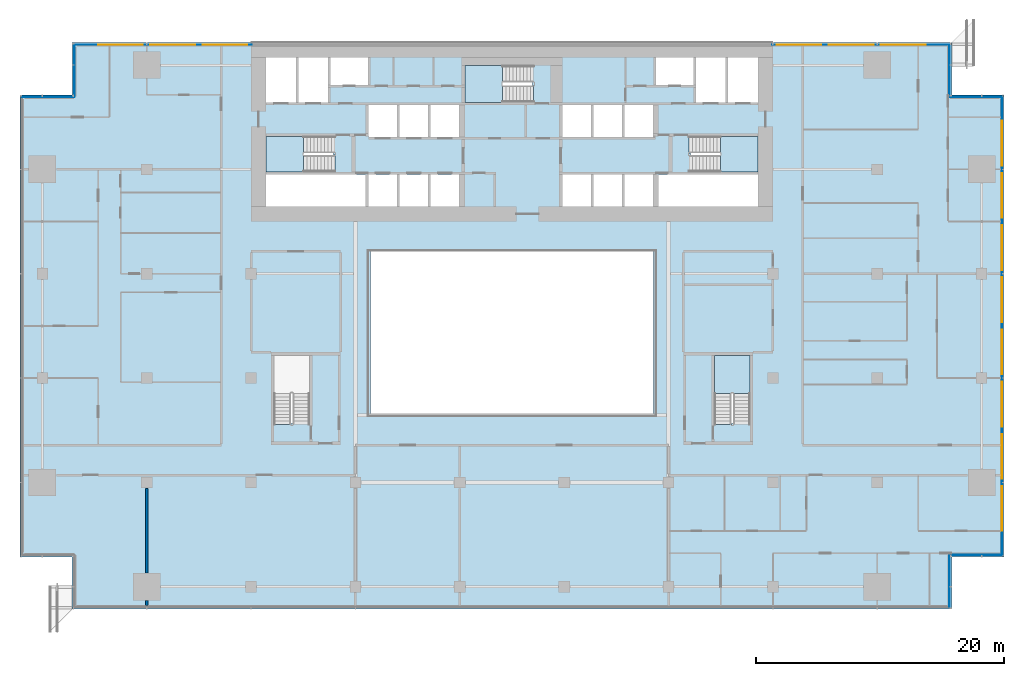
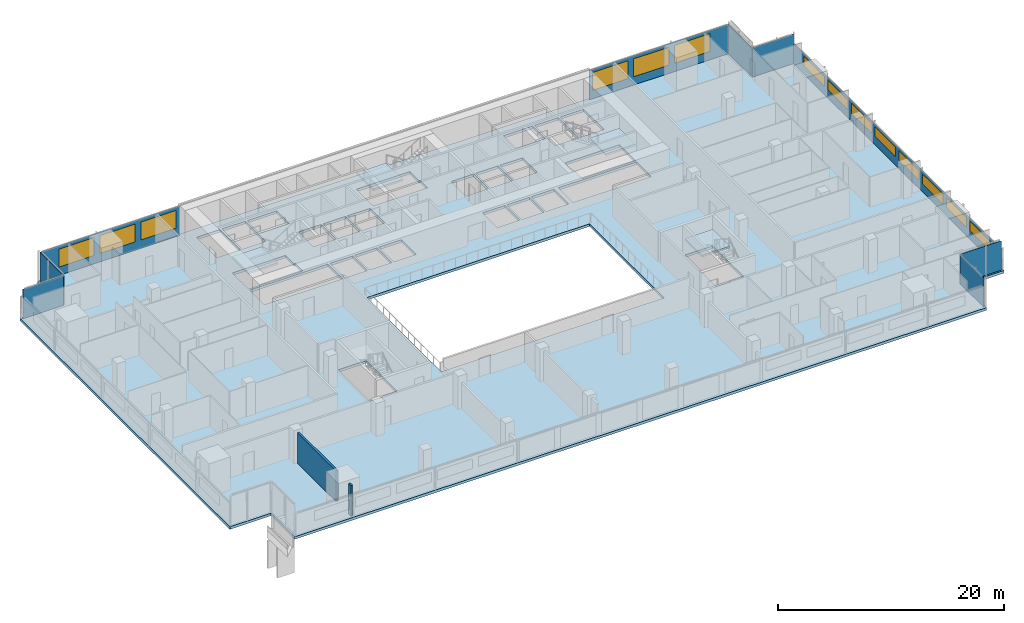
# One storey, part 16 of 25: 14 windows, 9 plates, 5 slabs, 2 walls, 14 openings, 12 elements without a shape of their own.
"""IFC4 building model written with IfcOpenShell, lengths in metres."""

from ifc_helpers import new_model, si_unit, direction, frame, frame_2d, origin, place, context, subcontext, project, spatial, polyline, rectangle, outline, extrude, material, layer, layer_set, type_object, element, fill, aggregate, save


model = new_model("IFC4")

# Units and contexts
model_context = context("Model", 3, precision=1e-05, world=origin(), true_north=direction((0.0, 1.0)))
body_context = subcontext(model_context, "Body", "Model", "MODEL_VIEW")
ifc_project = project(units=[si_unit("LENGTHUNIT", "METRE"), si_unit("AREAUNIT", "SQUARE_METRE"), si_unit("VOLUMEUNIT", "CUBIC_METRE"), si_unit("PLANEANGLEUNIT", "RADIAN"), si_unit("MASSUNIT", "GRAM", prefix="KILO")], contexts=[model_context])

# Site, building, storey
site_placement = place(None, origin())
site = spatial("IfcSite", under=ifc_project, at=site_placement, CompositionType="ELEMENT")
building_placement = place(site_placement, origin())
building = spatial("IfcBuilding", under=site, at=building_placement, Name="Saffron Gate Tower", CompositionType="ELEMENT")
storey_placement = place(building_placement, frame((0.0, 0.0, 80.39990234375)))
storey = spatial("IfcBuildingStorey", under=building, at=storey_placement, Name="L19", CompositionType="ELEMENT", Elevation=80.39990234375)

# Curtain wall, plate, openings, windows
ifc_material_1 = material(Name="Aluminium, bronze anodised", Category="aluminium")
curtain_wall_type_1 = type_object("IfcCurtainWallType", Name="CWS2 curtain wall side facades", PredefinedType="NOTDEFINED", material=ifc_material_1)
curtain_wall_1_placement = place(storey_placement, origin())
curtain_wall_1 = element("IfcCurtainWall", 1, at=curtain_wall_1_placement, inside=storey, type_object=curtain_wall_type_1, Name="CWS2 run 4", PredefinedType="NOTDEFINED")
ifc_material_2 = material(Name="Fritted bronze-tinted laminated glass", Category="glass")
ifc_layer_1 = layer(ifc_material_2, 0.028076171875)
ifc_layer_set_1 = layer_set([ifc_layer_1], Name="CWS2 fixed glass")
plate_type_1 = type_object("IfcPlateType", Name="CWS2 fixed glass", PredefinedType="CURTAIN_PANEL", material=ifc_layer_set_1)
plate_1_placement = place(storey_placement, frame((127.02587890625, 34.387939453125, 0.0), z_axis=(0.0, 0.0, 1.0), x_axis=(0.0, 1.0, 0.0)))
plate_1 = element("IfcPlate", 2, at=plate_1_placement, type_object=plate_type_1, Name="CWS2 glass panel", PredefinedType="CURTAIN_PANEL", context=body_context, shape_type="SweptSolid", body=[
    extrude(rectangle(XDim=36.823974609375, YDim=0.028076171875, at=frame_2d((18.412109375, 0.0))), origin(), (0.0, 0.0, 1.0), 2.2900390625),
])
opening_1_placement = place(plate_1_placement, frame((1.912109375, 0.0, 0.89990234375)))
opening_1 = element("IfcOpeningElement", 3, at=opening_1_placement, cuts=plate_1, Name="Opening W11", PredefinedType="OPENING", context=body_context, shape_type="SweptSolid", body=[
    extrude(rectangle(XDim=3.60009765625, YDim=1.0400390625, at=frame_2d((1.800048828125, 0.52001953125))), frame((0.0, 0.02392578125, 0.0), z_axis=(0.0, -1.0, 0.0), x_axis=(1.0, 0.0, 0.0)), (0.0, 0.0, 1.0), 0.048095703125),
])
opening_2_placement = place(plate_1_placement, frame((6.112060546875, 0.0, 0.89990234375)))
opening_2 = element("IfcOpeningElement", 4, at=opening_2_placement, cuts=plate_1, Name="Opening W11", PredefinedType="OPENING", context=body_context, shape_type="SweptSolid", body=[
    extrude(rectangle(XDim=3.60009765625, YDim=1.0400390625, at=frame_2d((1.800048828125, 0.52001953125))), frame((0.0, 0.02392578125, 0.0), z_axis=(0.0, -1.0, 0.0), x_axis=(1.0, 0.0, 0.0)), (0.0, 0.0, 1.0), 0.048095703125),
])
opening_3_placement = place(plate_1_placement, frame((10.31201171875, 0.0, 0.89990234375)))
opening_3 = element("IfcOpeningElement", 5, at=opening_3_placement, cuts=plate_1, Name="Opening W11", PredefinedType="OPENING", context=body_context, shape_type="SweptSolid", body=[
    extrude(rectangle(XDim=3.60009765625, YDim=1.0400390625, at=frame_2d((1.800048828125, 0.52001953125))), frame((0.0, 0.02392578125, 0.0), z_axis=(0.0, -1.0, 0.0), x_axis=(1.0, 0.0, 0.0)), (0.0, 0.0, 1.0), 0.048095703125),
])
opening_4_placement = place(plate_1_placement, frame((14.511962890625, 0.0, 0.89990234375)))
opening_4 = element("IfcOpeningElement", 6, at=opening_4_placement, cuts=plate_1, Name="Opening W11", PredefinedType="OPENING", context=body_context, shape_type="SweptSolid", body=[
    extrude(rectangle(XDim=3.60009765625, YDim=1.0400390625, at=frame_2d((1.800048828125, 0.52001953125))), frame((0.0, 0.02392578125, 0.0), z_axis=(0.0, -1.0, 0.0), x_axis=(1.0, 0.0, 0.0)), (0.0, 0.0, 1.0), 0.048095703125),
])
opening_5_placement = place(plate_1_placement, frame((18.7119140625, 0.0, 0.89990234375)))
opening_5 = element("IfcOpeningElement", 7, at=opening_5_placement, cuts=plate_1, Name="Opening W11", PredefinedType="OPENING", context=body_context, shape_type="SweptSolid", body=[
    extrude(rectangle(XDim=3.60009765625, YDim=1.0400390625, at=frame_2d((1.800048828125, 0.52001953125))), frame((0.0, 0.02392578125, 0.0), z_axis=(0.0, -1.0, 0.0), x_axis=(1.0, 0.0, 0.0)), (0.0, 0.0, 1.0), 0.048095703125),
])
opening_6_placement = place(plate_1_placement, frame((22.912109375, 0.0, 0.89990234375)))
opening_6 = element("IfcOpeningElement", 8, at=opening_6_placement, cuts=plate_1, Name="Opening W11", PredefinedType="OPENING", context=body_context, shape_type="SweptSolid", body=[
    extrude(rectangle(XDim=3.60009765625, YDim=1.0400390625, at=frame_2d((1.800048828125, 0.52001953125))), frame((0.0, 0.02392578125, 0.0), z_axis=(0.0, -1.0, 0.0), x_axis=(1.0, 0.0, 0.0)), (0.0, 0.0, 1.0), 0.048095703125),
])
opening_7_placement = place(plate_1_placement, frame((27.112060546875, 0.0, 0.89990234375)))
opening_7 = element("IfcOpeningElement", 9, at=opening_7_placement, cuts=plate_1, Name="Opening W11", PredefinedType="OPENING", context=body_context, shape_type="SweptSolid", body=[
    extrude(rectangle(XDim=3.60009765625, YDim=1.0400390625, at=frame_2d((1.800048828125, 0.52001953125))), frame((0.0, 0.02392578125, 0.0), z_axis=(0.0, -1.0, 0.0), x_axis=(1.0, 0.0, 0.0)), (0.0, 0.0, 1.0), 0.048095703125),
])
opening_8_placement = place(plate_1_placement, frame((31.31201171875, 0.0, 0.89990234375)))
opening_8 = element("IfcOpeningElement", 10, at=opening_8_placement, cuts=plate_1, Name="Opening W11", PredefinedType="OPENING", context=body_context, shape_type="SweptSolid", body=[
    extrude(rectangle(XDim=3.60009765625, YDim=1.0400390625, at=frame_2d((1.800048828125, 0.52001953125))), frame((0.0, 0.02392578125, 0.0), z_axis=(0.0, -1.0, 0.0), x_axis=(1.0, 0.0, 0.0)), (0.0, 0.0, 1.0), 0.048095703125),
])
ifc_material_3 = material(Name="Fritted bronze-tinted laminated glass in bronze frame", Category="glass")
ifc_layer_2 = layer(ifc_material_3, 0.06005859375)
ifc_layer_set_2 = layer_set([ifc_layer_2], Name="W11 operable panel 3600x1040")
window_type_1 = type_object("IfcWindowType", Name="W11 operable panel 3600x1040", PartitioningType="DOUBLE_PANEL_HORIZONTAL", PredefinedType="WINDOW", material=ifc_layer_set_2)
window_1_placement = place(opening_1_placement, origin())
window_1 = element("IfcWindow", 11, at=window_1_placement, type_object=window_type_1, Name="W11 operable panel", OverallHeight=1.0400390625, OverallWidth=3.60009765625, PartitioningType="SINGLE_PANEL", PredefinedType="WINDOW", context=body_context, shape_type="SweptSolid", body=[
    extrude(rectangle(XDim=3.60009765625, YDim=1.0400390625, at=frame_2d((1.800048828125, 0.52001953125))), frame((0.0, 0.013671875, 0.0), z_axis=(0.0, -1.0, 0.0), x_axis=(1.0, 0.0, 0.0)), (0.0, 0.0, 1.0), 0.027587890625),
])
fill(opening_1, window_1)
window_2_placement = place(opening_2_placement, origin())
window_2 = element("IfcWindow", 12, at=window_2_placement, type_object=window_type_1, Name="W11 operable panel", OverallHeight=1.0400390625, OverallWidth=3.60009765625, PartitioningType="SINGLE_PANEL", PredefinedType="WINDOW", context=body_context, shape_type="SweptSolid", body=[
    extrude(rectangle(XDim=3.60009765625, YDim=1.0400390625, at=frame_2d((1.800048828125, 0.52001953125))), frame((0.0, 0.013671875, 0.0), z_axis=(0.0, -1.0, 0.0), x_axis=(1.0, 0.0, 0.0)), (0.0, 0.0, 1.0), 0.027587890625),
])
fill(opening_2, window_2)
window_3_placement = place(opening_3_placement, origin())
window_3 = element("IfcWindow", 13, at=window_3_placement, type_object=window_type_1, Name="W11 operable panel", OverallHeight=1.0400390625, OverallWidth=3.60009765625, PartitioningType="SINGLE_PANEL", PredefinedType="WINDOW", context=body_context, shape_type="SweptSolid", body=[
    extrude(rectangle(XDim=3.60009765625, YDim=1.0400390625, at=frame_2d((1.800048828125, 0.52001953125))), frame((0.0, 0.013671875, 0.0), z_axis=(0.0, -1.0, 0.0), x_axis=(1.0, 0.0, 0.0)), (0.0, 0.0, 1.0), 0.027587890625),
])
fill(opening_3, window_3)
window_4_placement = place(opening_4_placement, origin())
window_4 = element("IfcWindow", 14, at=window_4_placement, type_object=window_type_1, Name="W11 operable panel", OverallHeight=1.0400390625, OverallWidth=3.60009765625, PartitioningType="SINGLE_PANEL", PredefinedType="WINDOW", context=body_context, shape_type="SweptSolid", body=[
    extrude(rectangle(XDim=3.60009765625, YDim=1.0400390625, at=frame_2d((1.800048828125, 0.52001953125))), frame((0.0, 0.013671875, 0.0), z_axis=(0.0, -1.0, 0.0), x_axis=(1.0, 0.0, 0.0)), (0.0, 0.0, 1.0), 0.027587890625),
])
fill(opening_4, window_4)
window_5_placement = place(opening_5_placement, origin())
window_5 = element("IfcWindow", 15, at=window_5_placement, type_object=window_type_1, Name="W11 operable panel", OverallHeight=1.0400390625, OverallWidth=3.60009765625, PartitioningType="SINGLE_PANEL", PredefinedType="WINDOW", context=body_context, shape_type="SweptSolid", body=[
    extrude(rectangle(XDim=3.60009765625, YDim=1.0400390625, at=frame_2d((1.800048828125, 0.52001953125))), frame((0.0, 0.013671875, 0.0), z_axis=(0.0, -1.0, 0.0), x_axis=(1.0, 0.0, 0.0)), (0.0, 0.0, 1.0), 0.027587890625),
])
fill(opening_5, window_5)
window_6_placement = place(opening_6_placement, origin())
window_6 = element("IfcWindow", 16, at=window_6_placement, type_object=window_type_1, Name="W11 operable panel", OverallHeight=1.0400390625, OverallWidth=3.60009765625, PartitioningType="SINGLE_PANEL", PredefinedType="WINDOW", context=body_context, shape_type="SweptSolid", body=[
    extrude(rectangle(XDim=3.60009765625, YDim=1.0400390625, at=frame_2d((1.800048828125, 0.52001953125))), frame((0.0, 0.013671875, 0.0), z_axis=(0.0, -1.0, 0.0), x_axis=(1.0, 0.0, 0.0)), (0.0, 0.0, 1.0), 0.027587890625),
])
fill(opening_6, window_6)
window_7_placement = place(opening_7_placement, origin())
window_7 = element("IfcWindow", 17, at=window_7_placement, type_object=window_type_1, Name="W11 operable panel", OverallHeight=1.0400390625, OverallWidth=3.60009765625, PartitioningType="SINGLE_PANEL", PredefinedType="WINDOW", context=body_context, shape_type="SweptSolid", body=[
    extrude(rectangle(XDim=3.60009765625, YDim=1.0400390625, at=frame_2d((1.800048828125, 0.52001953125))), frame((0.0, 0.013671875, 0.0), z_axis=(0.0, -1.0, 0.0), x_axis=(1.0, 0.0, 0.0)), (0.0, 0.0, 1.0), 0.027587890625),
])
fill(opening_7, window_7)
window_8_placement = place(opening_8_placement, origin())
window_8 = element("IfcWindow", 18, at=window_8_placement, type_object=window_type_1, Name="W11 operable panel", OverallHeight=1.0400390625, OverallWidth=3.60009765625, PartitioningType="SINGLE_PANEL", PredefinedType="WINDOW", context=body_context, shape_type="SweptSolid", body=[
    extrude(rectangle(XDim=3.60009765625, YDim=1.0400390625, at=frame_2d((1.800048828125, 0.52001953125))), frame((0.0, 0.013671875, 0.0), z_axis=(0.0, -1.0, 0.0), x_axis=(1.0, 0.0, 0.0)), (0.0, 0.0, 1.0), 0.027587890625),
])
fill(opening_8, window_8)
aggregate(curtain_wall_1, [plate_1, window_1, window_2, window_3, window_4, window_5, window_6, window_7, window_8])

# Curtain wall, plates, openings, windows
curtain_wall_type_2 = type_object("IfcCurtainWallType", Name="CWS3 curtain wall rear facade", PredefinedType="NOTDEFINED", material=ifc_material_1)
curtain_wall_2_placement = place(storey_placement, origin())
curtain_wall_2 = element("IfcCurtainWall", 19, at=curtain_wall_2_placement, inside=storey, type_object=curtain_wall_type_2, Name="CWS3 run 7", PredefinedType="NOTDEFINED")
ifc_material_4 = material(Name="Fritted grey-tinted laminated glass", Category="glass")
ifc_layer_3 = layer(ifc_material_4, 0.028076171875)
ifc_layer_set_3 = layer_set([ifc_layer_3], Name="CWS3 fixed glass")
plate_type_2 = type_object("IfcPlateType", Name="CWS3 fixed glass", PredefinedType="CURTAIN_PANEL", material=ifc_layer_set_3)
plate_2_placement = place(storey_placement, frame((122.81201171875, 75.426025390625, 0.0), z_axis=(0.0, 0.0, 1.0), x_axis=(-1.0, 0.0, 0.0)))
plate_2 = element("IfcPlate", 20, at=plate_2_placement, type_object=plate_type_2, Name="CWS3 glass panel", PredefinedType="CURTAIN_PANEL", context=body_context, shape_type="SweptSolid", body=[
    extrude(rectangle(XDim=14.2470703125, YDim=0.028076171875, at=frame_2d((7.12353515625, 0.0))), origin(), (0.0, 0.0, 1.0), 3.18017578125),
])
opening_9_placement = place(plate_2_placement, frame((1.912109375, 0.0, 0.89990234375)))
opening_9 = element("IfcOpeningElement", 21, at=opening_9_placement, cuts=plate_2, Name="Opening W2", PredefinedType="OPENING", context=body_context, shape_type="SweptSolid", body=[
    extrude(rectangle(XDim=3.60009765625, YDim=1.929931640625, at=frame_2d((1.800048828125, 0.96484375))), frame((0.0, 0.02392578125, 0.0), z_axis=(0.0, -1.0, 0.0), x_axis=(1.0, 0.0, 0.0)), (0.0, 0.0, 1.0), 0.048095703125),
])
opening_10_placement = place(plate_2_placement, frame((6.112060546875, 0.0, 0.89990234375)))
opening_10 = element("IfcOpeningElement", 22, at=opening_10_placement, cuts=plate_2, Name="Opening W2", PredefinedType="OPENING", context=body_context, shape_type="SweptSolid", body=[
    extrude(rectangle(XDim=3.60009765625, YDim=1.929931640625, at=frame_2d((1.800048828125, 0.96484375))), frame((0.0, 0.02392578125, 0.0), z_axis=(0.0, -1.0, 0.0), x_axis=(1.0, 0.0, 0.0)), (0.0, 0.0, 1.0), 0.048095703125),
])
opening_11_placement = place(plate_2_placement, frame((10.31201171875, 0.0, 0.89990234375)))
opening_11 = element("IfcOpeningElement", 23, at=opening_11_placement, cuts=plate_2, Name="Opening W2", PredefinedType="OPENING", context=body_context, shape_type="SweptSolid", body=[
    extrude(rectangle(XDim=3.60009765625, YDim=1.929931640625, at=frame_2d((1.800048828125, 0.96484375))), frame((0.0, 0.02392578125, 0.0), z_axis=(0.0, -1.0, 0.0), x_axis=(1.0, 0.0, 0.0)), (0.0, 0.0, 1.0), 0.048095703125),
])
ifc_layer_4 = layer(ifc_material_3, 0.06005859375)
ifc_layer_set_4 = layer_set([ifc_layer_4], Name="W2 operable panel 3600x1930")
window_type_2 = type_object("IfcWindowType", Name="W2 operable panel 3600x1930", PartitioningType="DOUBLE_PANEL_HORIZONTAL", PredefinedType="WINDOW", material=ifc_layer_set_4)
window_9_placement = place(opening_9_placement, origin())
window_9 = element("IfcWindow", 24, at=window_9_placement, type_object=window_type_2, Name="W2 operable panel", OverallHeight=1.929931640625, OverallWidth=3.60009765625, PartitioningType="SINGLE_PANEL", PredefinedType="WINDOW", context=body_context, shape_type="SweptSolid", body=[
    extrude(rectangle(XDim=3.60009765625, YDim=1.929931640625, at=frame_2d((1.800048828125, 0.96484375))), frame((0.0, 0.013671875, 0.0), z_axis=(0.0, -1.0, 0.0), x_axis=(1.0, 0.0, 0.0)), (0.0, 0.0, 1.0), 0.027587890625),
])
fill(opening_9, window_9)
window_10_placement = place(opening_10_placement, origin())
window_10 = element("IfcWindow", 25, at=window_10_placement, type_object=window_type_2, Name="W2 operable panel", OverallHeight=1.929931640625, OverallWidth=3.60009765625, PartitioningType="SINGLE_PANEL", PredefinedType="WINDOW", context=body_context, shape_type="SweptSolid", body=[
    extrude(rectangle(XDim=3.60009765625, YDim=1.929931640625, at=frame_2d((1.800048828125, 0.96484375))), frame((0.0, 0.013671875, 0.0), z_axis=(0.0, -1.0, 0.0), x_axis=(1.0, 0.0, 0.0)), (0.0, 0.0, 1.0), 0.027587890625),
])
fill(opening_10, window_10)
window_11_placement = place(opening_11_placement, origin())
window_11 = element("IfcWindow", 26, at=window_11_placement, type_object=window_type_2, Name="W2 operable panel", OverallHeight=1.929931640625, OverallWidth=3.60009765625, PartitioningType="SINGLE_PANEL", PredefinedType="WINDOW", context=body_context, shape_type="SweptSolid", body=[
    extrude(rectangle(XDim=3.60009765625, YDim=1.929931640625, at=frame_2d((1.800048828125, 0.96484375))), frame((0.0, 0.013671875, 0.0), z_axis=(0.0, -1.0, 0.0), x_axis=(1.0, 0.0, 0.0)), (0.0, 0.0, 1.0), 0.027587890625),
])
fill(opening_11, window_11)
plate_3_placement = place(storey_placement, frame((66.635009765625, 75.426025390625, 0.0), z_axis=(0.0, 0.0, 1.0), x_axis=(-1.0, 0.0, 0.0)))
plate_3 = element("IfcPlate", 27, at=plate_3_placement, type_object=plate_type_2, Name="CWS3 glass panel", PredefinedType="CURTAIN_PANEL", context=body_context, shape_type="SweptSolid", body=[
    extrude(rectangle(XDim=14.2470703125, YDim=0.028076171875, at=frame_2d((7.12353515625, 0.0))), origin(), (0.0, 0.0, 1.0), 3.18017578125),
])
opening_12_placement = place(plate_3_placement, frame((0.3349609375, 0.0, 0.89990234375)))
opening_12 = element("IfcOpeningElement", 28, at=opening_12_placement, cuts=plate_3, Name="Opening W2", PredefinedType="OPENING", context=body_context, shape_type="SweptSolid", body=[
    extrude(rectangle(XDim=3.60009765625, YDim=1.929931640625, at=frame_2d((1.800048828125, 0.96484375))), frame((0.0, 0.02392578125, 0.0), z_axis=(0.0, -1.0, 0.0), x_axis=(1.0, 0.0, 0.0)), (0.0, 0.0, 1.0), 0.048095703125),
])
opening_13_placement = place(plate_3_placement, frame((4.534912109375, 0.0, 0.89990234375)))
opening_13 = element("IfcOpeningElement", 29, at=opening_13_placement, cuts=plate_3, Name="Opening W2", PredefinedType="OPENING", context=body_context, shape_type="SweptSolid", body=[
    extrude(rectangle(XDim=3.60009765625, YDim=1.929931640625, at=frame_2d((1.800048828125, 0.96484375))), frame((0.0, 0.02392578125, 0.0), z_axis=(0.0, -1.0, 0.0), x_axis=(1.0, 0.0, 0.0)), (0.0, 0.0, 1.0), 0.048095703125),
])
opening_14_placement = place(plate_3_placement, frame((8.735107421875, 0.0, 0.89990234375)))
opening_14 = element("IfcOpeningElement", 30, at=opening_14_placement, cuts=plate_3, Name="Opening W2", PredefinedType="OPENING", context=body_context, shape_type="SweptSolid", body=[
    extrude(rectangle(XDim=3.60009765625, YDim=1.929931640625, at=frame_2d((1.800048828125, 0.96484375))), frame((0.0, 0.02392578125, 0.0), z_axis=(0.0, -1.0, 0.0), x_axis=(1.0, 0.0, 0.0)), (0.0, 0.0, 1.0), 0.048095703125),
])
window_12_placement = place(opening_12_placement, origin())
window_12 = element("IfcWindow", 31, at=window_12_placement, type_object=window_type_2, Name="W2 operable panel", OverallHeight=1.929931640625, OverallWidth=3.60009765625, PartitioningType="SINGLE_PANEL", PredefinedType="WINDOW", context=body_context, shape_type="SweptSolid", body=[
    extrude(rectangle(XDim=3.60009765625, YDim=1.929931640625, at=frame_2d((1.800048828125, 0.96484375))), frame((0.0, 0.013671875, 0.0), z_axis=(0.0, -1.0, 0.0), x_axis=(1.0, 0.0, 0.0)), (0.0, 0.0, 1.0), 0.027587890625),
])
fill(opening_12, window_12)
window_13_placement = place(opening_13_placement, origin())
window_13 = element("IfcWindow", 32, at=window_13_placement, type_object=window_type_2, Name="W2 operable panel", OverallHeight=1.929931640625, OverallWidth=3.60009765625, PartitioningType="SINGLE_PANEL", PredefinedType="WINDOW", context=body_context, shape_type="SweptSolid", body=[
    extrude(rectangle(XDim=3.60009765625, YDim=1.929931640625, at=frame_2d((1.800048828125, 0.96484375))), frame((0.0, 0.013671875, 0.0), z_axis=(0.0, -1.0, 0.0), x_axis=(1.0, 0.0, 0.0)), (0.0, 0.0, 1.0), 0.027587890625),
])
fill(opening_13, window_13)
window_14_placement = place(opening_14_placement, origin())
window_14 = element("IfcWindow", 33, at=window_14_placement, type_object=window_type_2, Name="W2 operable panel", OverallHeight=1.929931640625, OverallWidth=3.60009765625, PartitioningType="SINGLE_PANEL", PredefinedType="WINDOW", context=body_context, shape_type="SweptSolid", body=[
    extrude(rectangle(XDim=3.60009765625, YDim=1.929931640625, at=frame_2d((1.800048828125, 0.96484375))), frame((0.0, 0.013671875, 0.0), z_axis=(0.0, -1.0, 0.0), x_axis=(1.0, 0.0, 0.0)), (0.0, 0.0, 1.0), 0.027587890625),
])
fill(opening_14, window_14)
aggregate(curtain_wall_2, [plate_2, plate_3, window_9, window_10, window_11, window_12, window_13, window_14])

# Curtain wall, plate
curtain_wall_type_3 = type_object("IfcCurtainWallType", Name="CWS4 curtain wall corner returns", PredefinedType="NOTDEFINED", material=ifc_material_1)
curtain_wall_3_placement = place(storey_placement, origin())
curtain_wall_3 = element("IfcCurtainWall", 34, at=curtain_wall_3_placement, inside=storey, type_object=curtain_wall_type_3, Name="CWS4 run 2", PredefinedType="NOTDEFINED")
ifc_layer_5 = layer(ifc_material_2, 0.028076171875)
ifc_layer_set_5 = layer_set([ifc_layer_5], Name="CWS4 fixed glass")
plate_type_3 = type_object("IfcPlateType", Name="CWS4 fixed glass", PredefinedType="CURTAIN_PANEL", material=ifc_layer_set_5)
plate_4_placement = place(storey_placement, frame((122.825927734375, 30.18798828125, 0.0), z_axis=(0.0, 0.0, 1.0), x_axis=(0.0, 1.0, 0.0)))
plate_4 = element("IfcPlate", 35, at=plate_4_placement, type_object=plate_type_3, Name="CWS4 glass panel", PredefinedType="CURTAIN_PANEL", context=body_context, shape_type="SweptSolid", body=[
    extrude(rectangle(XDim=4.172119140625, YDim=0.028076171875, at=frame_2d((2.0859375, 0.0))), origin(), (0.0, 0.0, 1.0), 3.18017578125),
])
aggregate(curtain_wall_3, [plate_4])

curtain_wall_4_placement = place(storey_placement, origin())
curtain_wall_4 = element("IfcCurtainWall", 36, at=curtain_wall_4_placement, inside=storey, type_object=curtain_wall_type_3, Name="CWS4 run 3", PredefinedType="NOTDEFINED")
plate_5_placement = place(storey_placement, frame((122.840087890625, 34.3740234375, 0.0), z_axis=(0.0, 0.0, 1.0), x_axis=(1.0, 0.0, 0.0)))
plate_5 = element("IfcPlate", 37, at=plate_5_placement, type_object=plate_type_3, Name="CWS4 glass panel", PredefinedType="CURTAIN_PANEL", context=body_context, shape_type="SweptSolid", body=[
    extrude(rectangle(XDim=4.171875, YDim=0.028076171875, at=frame_2d((2.0859375, 0.0))), origin(), (0.0, 0.0, 1.0), 3.18017578125),
])
aggregate(curtain_wall_4, [plate_5])

curtain_wall_5_placement = place(storey_placement, origin())
curtain_wall_5 = element("IfcCurtainWall", 38, at=curtain_wall_5_placement, inside=storey, type_object=curtain_wall_type_3, Name="CWS4 run 5", PredefinedType="NOTDEFINED")
plate_6_placement = place(storey_placement, frame((127.011962890625, 71.22607421875, 0.0), z_axis=(0.0, 0.0, 1.0), x_axis=(-1.0, 0.0, 0.0)))
plate_6 = element("IfcPlate", 39, at=plate_6_placement, type_object=plate_type_3, Name="CWS4 glass panel", PredefinedType="CURTAIN_PANEL", context=body_context, shape_type="SweptSolid", body=[
    extrude(rectangle(XDim=4.171875, YDim=0.028076171875, at=frame_2d((2.0859375, 0.0))), origin(), (0.0, 0.0, 1.0), 3.18017578125),
])
aggregate(curtain_wall_5, [plate_6])

curtain_wall_6_placement = place(storey_placement, origin())
curtain_wall_6 = element("IfcCurtainWall", 40, at=curtain_wall_6_placement, inside=storey, type_object=curtain_wall_type_3, Name="CWS4 run 6", PredefinedType="NOTDEFINED")
plate_7_placement = place(storey_placement, frame((122.825927734375, 71.239990234375, 0.0), z_axis=(0.0, 0.0, 1.0), x_axis=(0.0, 1.0, 0.0)))
plate_7 = element("IfcPlate", 41, at=plate_7_placement, type_object=plate_type_3, Name="CWS4 glass panel", PredefinedType="CURTAIN_PANEL", context=body_context, shape_type="SweptSolid", body=[
    extrude(rectangle(XDim=4.172119140625, YDim=0.028076171875, at=frame_2d((2.0859375, 0.0))), origin(), (0.0, 0.0, 1.0), 3.18017578125),
])
aggregate(curtain_wall_6, [plate_7])

curtain_wall_7_placement = place(storey_placement, origin())
curtain_wall_7 = element("IfcCurtainWall", 42, at=curtain_wall_7_placement, inside=storey, type_object=curtain_wall_type_3, Name="CWS4 run 8", PredefinedType="NOTDEFINED")
plate_8_placement = place(storey_placement, frame((52.3740234375, 75.412109375, 0.0), z_axis=(0.0, 0.0, 1.0), x_axis=(0.0, -1.0, 0.0)))
plate_8 = element("IfcPlate", 43, at=plate_8_placement, type_object=plate_type_3, Name="CWS4 glass panel", PredefinedType="CURTAIN_PANEL", context=body_context, shape_type="SweptSolid", body=[
    extrude(rectangle(XDim=4.172119140625, YDim=0.028076171875, at=frame_2d((2.0859375, 0.0))), origin(), (0.0, 0.0, 1.0), 3.18017578125),
])
aggregate(curtain_wall_7, [plate_8])

curtain_wall_8_placement = place(storey_placement, origin())
curtain_wall_8 = element("IfcCurtainWall", 44, at=curtain_wall_8_placement, inside=storey, type_object=curtain_wall_type_3, Name="CWS4 run 9", PredefinedType="NOTDEFINED")
plate_9_placement = place(storey_placement, frame((52.360107421875, 71.22607421875, 0.0), z_axis=(0.0, 0.0, 1.0), x_axis=(-1.0, 0.0, 0.0)))
plate_9 = element("IfcPlate", 45, at=plate_9_placement, type_object=plate_type_3, Name="CWS4 glass panel", PredefinedType="CURTAIN_PANEL", context=body_context, shape_type="SweptSolid", body=[
    extrude(rectangle(XDim=4.172119140625, YDim=0.028076171875, at=frame_2d((2.0859375, 0.0))), origin(), (0.0, 0.0, 1.0), 3.18017578125),
])
aggregate(curtain_wall_8, [plate_9])

# Slab
ifc_material_5 = material(Name="Concrete C40", Category="concrete")
ifc_layer_6 = layer(ifc_material_5, 0.280029296875)
ifc_layer_set_6 = layer_set([ifc_layer_6], Name="S2 FLOOR SLAB 280 CONCRETE C40")
slab_type_1 = type_object("IfcSlabType", Name="S2 FLOOR SLAB 280 CONCRETE C40", PredefinedType="FLOOR", material=ifc_layer_set_6)
slab_1_placement = place(storey_placement, frame((0.0, 0.0, -0.27978515625)))
element("IfcSlab", 46, at=slab_1_placement, inside=storey, type_object=slab_type_1, Name="S2 FLOOR SLAB", PredefinedType="FLOOR", context=body_context, shape_type="SweptSolid", body=[
    extrude(outline(polyline([(48.0, 34.199951171875), (52.199951171875, 34.199951171875), (52.199951171875, 30.0), (123.0, 30.0), (123.0, 34.199951171875), (127.199951171875, 34.199951171875), (127.199951171875, 71.39990234375), (123.0, 71.39990234375), (123.0, 75.60009765625), (52.199951171875, 75.60009765625), (52.199951171875, 71.39990234375), (48.0, 71.39990234375), (48.0, 34.199951171875)]), holes=[polyline([(67.800048828125, 62.39990234375), (67.800048828125, 65.0), (75.800048828125, 65.0), (75.800048828125, 62.39990234375), (67.800048828125, 62.39990234375)]), polyline([(67.800048828125, 65.199951171875), (67.800048828125, 68.050048828125), (73.25, 68.050048828125), (73.25, 66.550048828125), (73.34912109375, 66.550048828125), (73.34912109375, 65.199951171875), (67.800048828125, 65.199951171875)]), polyline([(67.800048828125, 70.800048828125), (67.800048828125, 74.39990234375), (70.199951171875, 74.39990234375), (70.199951171875, 70.800048828125), (67.800048828125, 70.800048828125)]), polyline([(68.449951171875, 44.85107421875), (68.449951171875, 50.39990234375), (71.300048828125, 50.39990234375), (71.300048828125, 44.949951171875), (69.800048828125, 44.949951171875), (69.800048828125, 44.85107421875), (68.449951171875, 44.85107421875)]), polyline([(70.39990234375, 70.800048828125), (70.39990234375, 74.39990234375), (72.800048828125, 74.39990234375), (72.800048828125, 70.800048828125), (70.39990234375, 70.800048828125)]), polyline([(73.0, 72.199951171875), (73.0, 74.39990234375), (76.0, 74.39990234375), (76.0, 72.199951171875), (73.0, 72.199951171875)]), polyline([(76.050048828125, 62.39990234375), (76.050048828125, 65.0), (78.35009765625, 65.0), (78.35009765625, 62.39990234375), (76.050048828125, 62.39990234375)]), polyline([(76.050048828125, 68.0), (76.050048828125, 70.60009765625), (78.35009765625, 70.60009765625), (78.35009765625, 68.0), (76.050048828125, 68.0)]), polyline([(76.199951171875, 45.60009765625), (76.199951171875, 58.800048828125), (99.0, 58.800048828125), (99.0, 45.60009765625), (76.199951171875, 45.60009765625)]), polyline([(78.550048828125, 62.39990234375), (78.550048828125, 65.0), (80.85009765625, 65.0), (80.85009765625, 62.39990234375), (78.550048828125, 62.39990234375)]), polyline([(78.550048828125, 68.0), (78.550048828125, 70.60009765625), (80.85009765625, 70.60009765625), (80.85009765625, 68.0), (78.550048828125, 68.0)]), polyline([(81.050048828125, 62.39990234375), (81.050048828125, 65.0), (83.35009765625, 65.0), (83.35009765625, 62.39990234375), (81.050048828125, 62.39990234375)]), polyline([(81.050048828125, 68.0), (81.050048828125, 70.60009765625), (83.35009765625, 70.60009765625), (83.35009765625, 68.0), (81.050048828125, 68.0)]), polyline([(83.800048828125, 70.800048828125), (83.800048828125, 73.75), (89.25, 73.75), (89.25, 72.14990234375), (89.34912109375, 72.14990234375), (89.34912109375, 70.800048828125), (83.800048828125, 70.800048828125)]), polyline([(91.64990234375, 62.39990234375), (91.64990234375, 65.0), (93.949951171875, 65.0), (93.949951171875, 62.39990234375), (91.64990234375, 62.39990234375)]), polyline([(91.64990234375, 68.0), (91.64990234375, 70.60009765625), (93.949951171875, 70.60009765625), (93.949951171875, 68.0), (91.64990234375, 68.0)]), polyline([(94.14990234375, 62.39990234375), (94.14990234375, 65.0), (96.449951171875, 65.0), (96.449951171875, 62.39990234375), (94.14990234375, 62.39990234375)]), polyline([(94.14990234375, 68.0), (94.14990234375, 70.60009765625), (96.449951171875, 70.60009765625), (96.449951171875, 68.0), (94.14990234375, 68.0)]), polyline([(96.64990234375, 62.39990234375), (96.64990234375, 65.0), (98.949951171875, 65.0), (98.949951171875, 62.39990234375), (96.64990234375, 62.39990234375)]), polyline([(96.64990234375, 68.0), (96.64990234375, 70.60009765625), (98.949951171875, 70.60009765625), (98.949951171875, 68.0), (96.64990234375, 68.0)]), polyline([(99.199951171875, 72.199951171875), (99.199951171875, 74.39990234375), (102.199951171875, 74.39990234375), (102.199951171875, 72.199951171875), (99.199951171875, 72.199951171875)]), polyline([(99.39990234375, 62.39990234375), (99.39990234375, 65.0), (107.39990234375, 65.0), (107.39990234375, 62.39990234375), (99.39990234375, 62.39990234375)]), polyline([(101.85107421875, 66.699951171875), (101.85107421875, 68.050048828125), (107.39990234375, 68.050048828125), (107.39990234375, 65.199951171875), (101.949951171875, 65.199951171875), (101.949951171875, 66.699951171875), (101.85107421875, 66.699951171875)]), polyline([(102.39990234375, 70.800048828125), (102.39990234375, 74.39990234375), (104.800048828125, 74.39990234375), (104.800048828125, 70.800048828125), (102.39990234375, 70.800048828125)]), polyline([(103.89990234375, 44.85107421875), (103.89990234375, 50.39990234375), (106.75, 50.39990234375), (106.75, 44.949951171875), (105.25, 44.949951171875), (105.25, 44.85107421875), (103.89990234375, 44.85107421875)]), polyline([(105.0, 70.800048828125), (105.0, 74.39990234375), (107.39990234375, 74.39990234375), (107.39990234375, 70.800048828125), (105.0, 70.800048828125)])]), origin(), (0.0, 0.0, 1.0), 0.27978515625),
])

# Stair, slab
stair_type = type_object("IfcStairType", Name="ST7 Stair 1350 wide, 20 risers of 180", PredefinedType="HALF_TURN_STAIR", material=ifc_material_5)
stair_1_placement = place(storey_placement, origin())
stair_1 = element("IfcStair", 47, at=stair_1_placement, inside=storey, type_object=stair_type, Name="L19 Exit stair A", PredefinedType="HALF_TURN_STAIR")
ifc_layer_7 = layer(ifc_material_5, 0.199951171875)
ifc_layer_set_7 = layer_set([ifc_layer_7], Name="SL1 Stair landing 200")
slab_type_2 = type_object("IfcSlabType", Name="SL1 Stair landing 200", PredefinedType="LANDING", material=ifc_layer_set_7)
slab_2_placement = place(storey_placement, frame((0.0, 0.0, 1.60009765625)))
slab_2 = element("IfcSlab", 48, at=slab_2_placement, type_object=slab_type_2, Name="ST-A landing 1", PredefinedType="LANDING", context=body_context, shape_type="SweptSolid", body=[
    extrude(outline(polyline([(70.830078125, 68.050048828125), (67.800048828125, 68.050048828125), (67.800048828125, 65.199951171875), (70.830078125, 65.199951171875), (70.830078125, 68.050048828125)])), origin(), (0.0, 0.0, 1.0), 0.199951171875),
])
aggregate(stair_1, [slab_2])

stair_2_placement = place(storey_placement, origin())
stair_2 = element("IfcStair", 49, at=stair_2_placement, inside=storey, type_object=stair_type, Name="L19 Exit stair B", PredefinedType="HALF_TURN_STAIR")
slab_3_placement = place(storey_placement, frame((0.0, 0.0, 1.60009765625)))
slab_3 = element("IfcSlab", 50, at=slab_3_placement, type_object=slab_type_2, Name="ST-B landing 1", PredefinedType="LANDING", context=body_context, shape_type="SweptSolid", body=[
    extrude(outline(polyline([(104.3701171875, 65.199951171875), (107.39990234375, 65.199951171875), (107.39990234375, 68.050048828125), (104.3701171875, 68.050048828125), (104.3701171875, 65.199951171875)])), origin(), (0.0, 0.0, 1.0), 0.199951171875),
])
aggregate(stair_2, [slab_3])

stair_3_placement = place(storey_placement, origin())
stair_3 = element("IfcStair", 51, at=stair_3_placement, inside=storey, type_object=stair_type, Name="L19 Exit stair C", PredefinedType="HALF_TURN_STAIR")
slab_4_placement = place(storey_placement, frame((0.0, 0.0, 1.60009765625)))
slab_4 = element("IfcSlab", 52, at=slab_4_placement, type_object=slab_type_2, Name="ST-C landing 1", PredefinedType="LANDING", context=body_context, shape_type="SweptSolid", body=[
    extrude(outline(polyline([(86.830078125, 73.75), (83.800048828125, 73.75), (83.800048828125, 70.800048828125), (86.830078125, 70.800048828125), (86.830078125, 73.75)])), origin(), (0.0, 0.0, 1.0), 0.199951171875),
])
aggregate(stair_3, [slab_4])

stair_4_placement = place(storey_placement, origin())
stair_4 = element("IfcStair", 53, at=stair_4_placement, inside=storey, type_object=stair_type, Name="L19 Exit stair E", PredefinedType="HALF_TURN_STAIR")
slab_5_placement = place(storey_placement, frame((0.0, 0.0, 1.60009765625)))
slab_5 = element("IfcSlab", 54, at=slab_5_placement, type_object=slab_type_2, Name="ST-E landing 1", PredefinedType="LANDING", context=body_context, shape_type="SweptSolid", body=[
    extrude(outline(polyline([(106.75, 47.3701171875), (106.75, 50.39990234375), (103.89990234375, 50.39990234375), (103.89990234375, 47.3701171875), (106.75, 47.3701171875)])), origin(), (0.0, 0.0, 1.0), 0.199951171875),
])
aggregate(stair_4, [slab_5])

# Walls
ifc_material_6 = material(Name="Clay brick masonry, rendered", Category="masonry")
ifc_layer_8 = layer(ifc_material_6, 0.199951171875)
ifc_layer_set_8 = layer_set([ifc_layer_8], Name="PW5 Room wall 200")
wall_type = type_object("IfcWallType", Name="PW5 Room wall 200", PredefinedType="PARTITIONING", material=ifc_layer_set_8)
wall_1_placement = place(storey_placement, frame((58.199951171875, 30.679931640625, 0.0), z_axis=(0.0, 0.0, 1.0), x_axis=(0.0, -1.0, 0.0)))
element("IfcWall", 55, at=wall_1_placement, inside=storey, type_object=wall_type, Name="Wall A5-56", PredefinedType="PARTITIONING", context=body_context, shape_type="SweptSolid", body=[
    extrude(rectangle(XDim=0.39990234375, YDim=0.199951171875, at=frame_2d((0.199951171875, 0.0))), origin(), (0.0, 0.0, 1.0), 3.300048828125),
])
wall_2_placement = place(storey_placement, frame((58.199951171875, 39.72998046875, 0.0), z_axis=(0.0, 0.0, 1.0), x_axis=(0.0, -1.0, 0.0)))
element("IfcWall", 56, at=wall_2_placement, inside=storey, type_object=wall_type, Name="Wall A5-57", PredefinedType="PARTITIONING", context=body_context, shape_type="SweptSolid", body=[
    extrude(rectangle(XDim=6.81005859375, YDim=0.199951171875, at=frame_2d((3.405029296875, 0.0))), origin(), (0.0, 0.0, 1.0), 3.300048828125),
])

save(model, "model.ifc")
